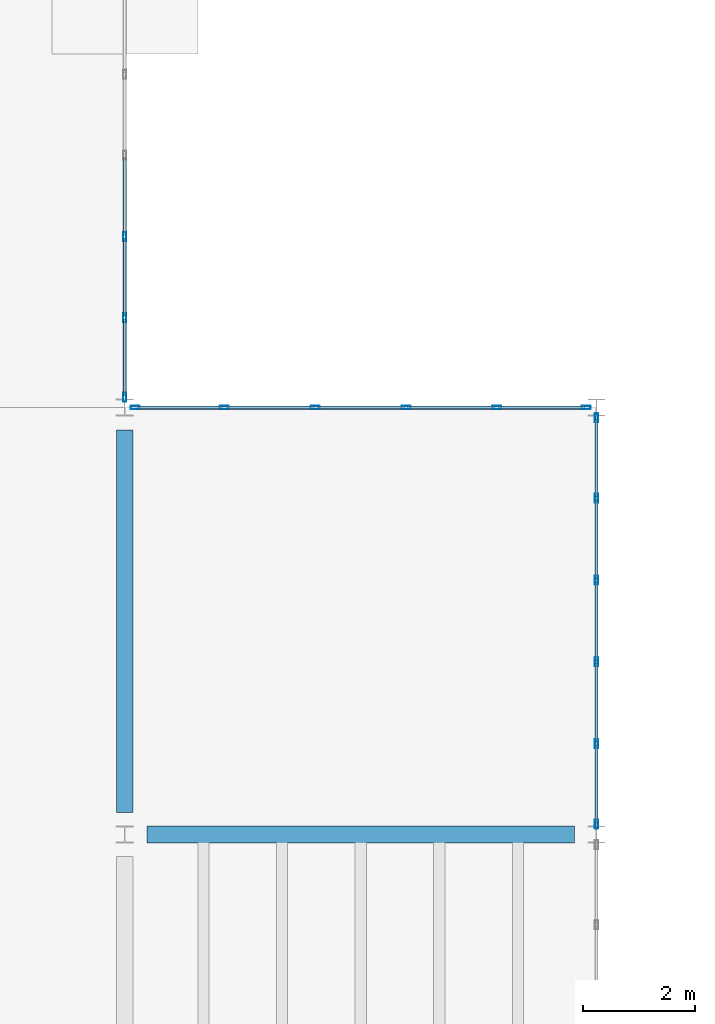
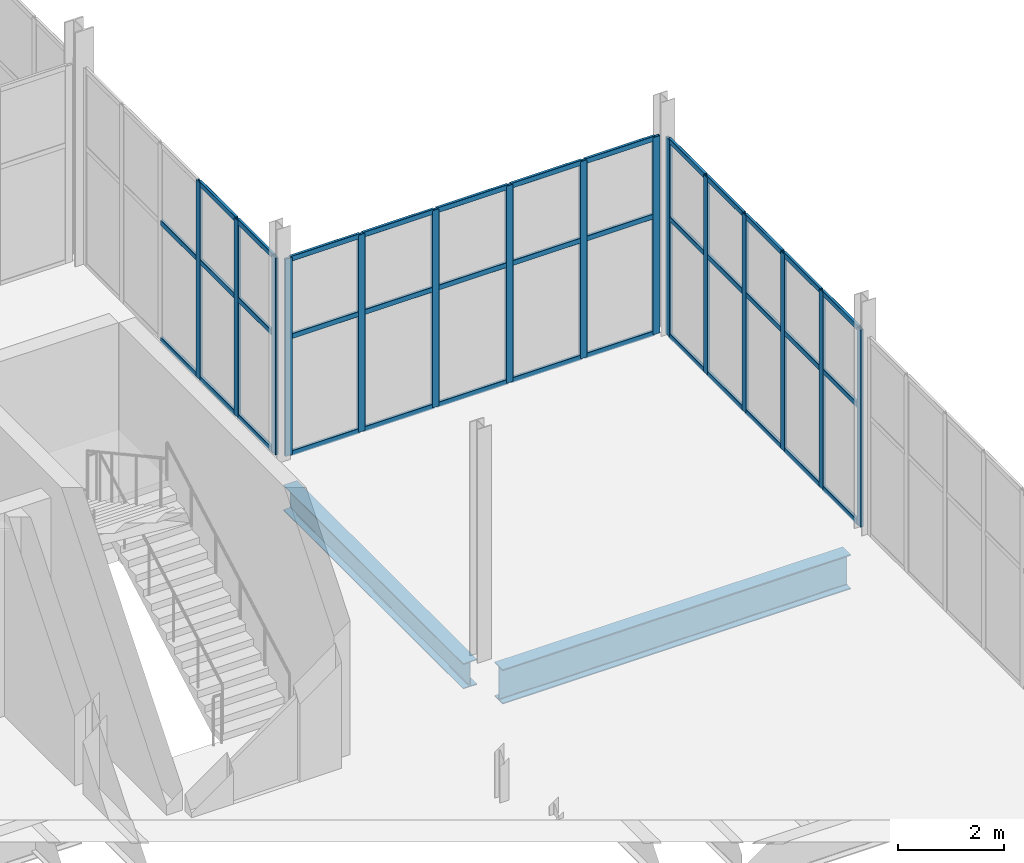
# One storey, part 29 of 95: 53 members, 2 beams, 3 elements without a shape of their own.
"""IFC4 building model written with IfcOpenShell, lengths in metres."""

from ifc_helpers import new_model, si_unit, direction, frame, origin, origin_2d, place, context, subcontext, project, spatial, hollow_rectangle, i_section, extrude, material, material_profile, profile_set, type_object, element, aggregate, save


model = new_model("IFC4")

# Units and contexts
model_context = context("Model", 3, precision=1e-05, world=origin(), true_north=direction((0.0, 1.0)))
body_context = subcontext(model_context, "Body", "Model", "MODEL_VIEW")
ifc_project = project(units=[si_unit("LENGTHUNIT", "METRE"), si_unit("AREAUNIT", "SQUARE_METRE"), si_unit("VOLUMEUNIT", "CUBIC_METRE"), si_unit("PLANEANGLEUNIT", "RADIAN"), si_unit("MASSUNIT", "GRAM", prefix="KILO")], contexts=[model_context])

# Site, building, storey
site_placement = place(None, origin())
site = spatial("IfcSite", under=ifc_project, at=site_placement, CompositionType="ELEMENT")
building_placement = place(site_placement, origin())
building = spatial("IfcBuilding", under=site, at=building_placement, Name="Shengluoqiao Park Theatre", CompositionType="ELEMENT")
storey_placement = place(building_placement, origin())
storey = spatial("IfcBuildingStorey", under=building, at=storey_placement, Name="L00", CompositionType="ELEMENT", Elevation=0.0)

# Curtain wall, members
ifc_material_1 = material(Name="Aluminium 6063-T6", Category="aluminium")
curtain_wall_type = type_object("IfcCurtainWallType", Name="ENV-CW-COURT", PredefinedType="NOTDEFINED", material=ifc_material_1)
curtain_wall_1_placement = place(storey_placement, origin())
curtain_wall_1 = element("IfcCurtainWall", 1, at=curtain_wall_1_placement, inside=storey, type_object=curtain_wall_type, Name="L00 Curtain Wall CWX-L00-0151", PredefinedType="NOTDEFINED")
ifc_material_profile_1 = material_profile(ifc_material_1, hollow_rectangle(XDim=0.06005859375, YDim=0.159912109375, WallThickness=0.00390625, InnerFilletRadius=0.00390625, OuterFilletRadius=0.008056640625, at=origin_2d()), Name="ALU MULLION 160x60x4")
ifc_profile_set_1 = profile_set([ifc_material_profile_1], Name="Aluminium 6063-T6")
member_type_1 = type_object("IfcMemberType", Name="ENV-MUL-160", PredefinedType="MULLION", material=ifc_profile_set_1)
member_1_placement = place(storey_placement, frame((44.39990234375, 15.384033203125, 0.0), z_axis=(0.0, 0.0, 1.0), x_axis=(-1.0, 0.0, 0.0)))
member_1 = element("IfcMember", 2, at=member_1_placement, type_object=member_type_1, Name="CW-05 mullion 1", PredefinedType="MULLION", context=body_context, shape_type="SweptSolid", body=[
    extrude(hollow_rectangle(XDim=0.06005859375, YDim=0.159912109375, WallThickness=0.00390625, InnerFilletRadius=0.00390625, OuterFilletRadius=0.008056640625, at=origin_2d()), origin(), (0.0, 0.0, 1.0), 4.555908203125),
])
member_2_placement = place(storey_placement, frame((44.39990234375, 16.8125, 0.0), z_axis=(0.0, 0.0, 1.0), x_axis=(-1.0, 0.0, 0.0)))
member_2 = element("IfcMember", 3, at=member_2_placement, type_object=member_type_1, Name="CW-05 mullion 2", PredefinedType="MULLION", context=body_context, shape_type="SweptSolid", body=[
    extrude(hollow_rectangle(XDim=0.06005859375, YDim=0.159912109375, WallThickness=0.00390625, InnerFilletRadius=0.00390625, OuterFilletRadius=0.008056640625, at=origin_2d()), origin(), (0.0, 0.0, 1.0), 4.555908203125),
])
member_3_placement = place(storey_placement, frame((44.39990234375, 18.270751953125, 0.0), z_axis=(0.0, 0.0, 1.0), x_axis=(-1.0, 0.0, 0.0)))
member_3 = element("IfcMember", 4, at=member_3_placement, type_object=member_type_1, Name="CW-05 mullion 3", PredefinedType="MULLION", context=body_context, shape_type="SweptSolid", body=[
    extrude(hollow_rectangle(XDim=0.06005859375, YDim=0.159912109375, WallThickness=0.00390625, InnerFilletRadius=0.00390625, OuterFilletRadius=0.008056640625, at=origin_2d()), origin(), (0.0, 0.0, 1.0), 4.555908203125),
])
member_4_placement = place(storey_placement, frame((44.39990234375, 19.729248046875, 0.0), z_axis=(0.0, 0.0, 1.0), x_axis=(-1.0, 0.0, 0.0)))
member_4 = element("IfcMember", 5, at=member_4_placement, type_object=member_type_1, Name="CW-05 mullion 4", PredefinedType="MULLION", context=body_context, shape_type="SweptSolid", body=[
    extrude(hollow_rectangle(XDim=0.06005859375, YDim=0.159912109375, WallThickness=0.00390625, InnerFilletRadius=0.00390625, OuterFilletRadius=0.008056640625, at=origin_2d()), origin(), (0.0, 0.0, 1.0), 4.555908203125),
])
member_5_placement = place(storey_placement, frame((44.39990234375, 21.1875, 0.0), z_axis=(0.0, 0.0, 1.0), x_axis=(-1.0, 0.0, 0.0)))
member_5 = element("IfcMember", 6, at=member_5_placement, type_object=member_type_1, Name="CW-05 mullion 5", PredefinedType="MULLION", context=body_context, shape_type="SweptSolid", body=[
    extrude(hollow_rectangle(XDim=0.06005859375, YDim=0.159912109375, WallThickness=0.00390625, InnerFilletRadius=0.00390625, OuterFilletRadius=0.008056640625, at=origin_2d()), origin(), (0.0, 0.0, 1.0), 4.555908203125),
])
member_6_placement = place(storey_placement, frame((44.39990234375, 22.615966796875, 0.0), z_axis=(0.0, 0.0, 1.0), x_axis=(-1.0, 0.0, 0.0)))
member_6 = element("IfcMember", 7, at=member_6_placement, type_object=member_type_1, Name="CW-05 mullion 6", PredefinedType="MULLION", context=body_context, shape_type="SweptSolid", body=[
    extrude(hollow_rectangle(XDim=0.06005859375, YDim=0.159912109375, WallThickness=0.00390625, InnerFilletRadius=0.00390625, OuterFilletRadius=0.008056640625, at=origin_2d()), origin(), (0.0, 0.0, 1.0), 4.555908203125),
])

curtain_wall_2_placement = place(storey_placement, origin())
curtain_wall_2 = element("IfcCurtainWall", 8, at=curtain_wall_2_placement, inside=storey, type_object=curtain_wall_type, Name="L00 Curtain Wall CWX-L00-0152", PredefinedType="NOTDEFINED")
member_7_placement = place(storey_placement, frame((36.1865234375, 22.800048828125, 0.0), z_axis=(0.0, 0.0, 1.0), x_axis=(0.0, 1.0, 0.0)))
member_7 = element("IfcMember", 9, at=member_7_placement, type_object=member_type_1, Name="CW-05 mullion 1", PredefinedType="MULLION", context=body_context, shape_type="SweptSolid", body=[
    extrude(hollow_rectangle(XDim=0.06005859375, YDim=0.159912109375, WallThickness=0.00390625, InnerFilletRadius=0.00390625, OuterFilletRadius=0.008056640625, at=origin_2d()), origin(), (0.0, 0.0, 1.0), 4.555908203125),
])
member_8_placement = place(storey_placement, frame((37.77392578125, 22.800048828125, 0.0), z_axis=(0.0, 0.0, 1.0), x_axis=(0.0, 1.0, 0.0)))
member_8 = element("IfcMember", 10, at=member_8_placement, type_object=member_type_1, Name="CW-05 mullion 2", PredefinedType="MULLION", context=body_context, shape_type="SweptSolid", body=[
    extrude(hollow_rectangle(XDim=0.06005859375, YDim=0.159912109375, WallThickness=0.00390625, InnerFilletRadius=0.00390625, OuterFilletRadius=0.008056640625, at=origin_2d()), origin(), (0.0, 0.0, 1.0), 4.555908203125),
])
member_9_placement = place(storey_placement, frame((39.391357421875, 22.800048828125, 0.0), z_axis=(0.0, 0.0, 1.0), x_axis=(0.0, 1.0, 0.0)))
member_9 = element("IfcMember", 11, at=member_9_placement, type_object=member_type_1, Name="CW-05 mullion 3", PredefinedType="MULLION", context=body_context, shape_type="SweptSolid", body=[
    extrude(hollow_rectangle(XDim=0.06005859375, YDim=0.159912109375, WallThickness=0.00390625, InnerFilletRadius=0.00390625, OuterFilletRadius=0.008056640625, at=origin_2d()), origin(), (0.0, 0.0, 1.0), 4.555908203125),
])
member_10_placement = place(storey_placement, frame((41.0087890625, 22.800048828125, 0.0), z_axis=(0.0, 0.0, 1.0), x_axis=(0.0, 1.0, 0.0)))
member_10 = element("IfcMember", 12, at=member_10_placement, type_object=member_type_1, Name="CW-05 mullion 4", PredefinedType="MULLION", context=body_context, shape_type="SweptSolid", body=[
    extrude(hollow_rectangle(XDim=0.06005859375, YDim=0.159912109375, WallThickness=0.00390625, InnerFilletRadius=0.00390625, OuterFilletRadius=0.008056640625, at=origin_2d()), origin(), (0.0, 0.0, 1.0), 4.555908203125),
])
member_11_placement = place(storey_placement, frame((42.626220703125, 22.800048828125, 0.0), z_axis=(0.0, 0.0, 1.0), x_axis=(0.0, 1.0, 0.0)))
member_11 = element("IfcMember", 13, at=member_11_placement, type_object=member_type_1, Name="CW-05 mullion 5", PredefinedType="MULLION", context=body_context, shape_type="SweptSolid", body=[
    extrude(hollow_rectangle(XDim=0.06005859375, YDim=0.159912109375, WallThickness=0.00390625, InnerFilletRadius=0.00390625, OuterFilletRadius=0.008056640625, at=origin_2d()), origin(), (0.0, 0.0, 1.0), 4.555908203125),
])
member_12_placement = place(storey_placement, frame((44.21337890625, 22.800048828125, 0.0), z_axis=(0.0, 0.0, 1.0), x_axis=(0.0, 1.0, 0.0)))
member_12 = element("IfcMember", 14, at=member_12_placement, type_object=member_type_1, Name="CW-05 mullion 6", PredefinedType="MULLION", context=body_context, shape_type="SweptSolid", body=[
    extrude(hollow_rectangle(XDim=0.06005859375, YDim=0.159912109375, WallThickness=0.00390625, InnerFilletRadius=0.00390625, OuterFilletRadius=0.008056640625, at=origin_2d()), origin(), (0.0, 0.0, 1.0), 4.555908203125),
])

curtain_wall_3_placement = place(storey_placement, origin())
curtain_wall_3 = element("IfcCurtainWall", 15, at=curtain_wall_3_placement, inside=storey, type_object=curtain_wall_type, Name="L00 Curtain Wall CWX-L00-0154", PredefinedType="NOTDEFINED")
member_13_placement = place(storey_placement, frame((36.0, 22.98388671875, 0.0), z_axis=(0.0, 0.0, 1.0), x_axis=(-1.0, 0.0, 0.0)))
member_13 = element("IfcMember", 16, at=member_13_placement, type_object=member_type_1, Name="CW-05 mullion 1", PredefinedType="MULLION", context=body_context, shape_type="SweptSolid", body=[
    extrude(hollow_rectangle(XDim=0.06005859375, YDim=0.159912109375, WallThickness=0.00390625, InnerFilletRadius=0.00390625, OuterFilletRadius=0.008056640625, at=origin_2d()), origin(), (0.0, 0.0, 1.0), 4.550048828125),
])
member_14_placement = place(storey_placement, frame((36.0, 24.399658203125, 0.0), z_axis=(0.0, 0.0, 1.0), x_axis=(-1.0, 0.0, 0.0)))
member_14 = element("IfcMember", 17, at=member_14_placement, type_object=member_type_1, Name="CW-05 mullion 2", PredefinedType="MULLION", context=body_context, shape_type="SweptSolid", body=[
    extrude(hollow_rectangle(XDim=0.06005859375, YDim=0.159912109375, WallThickness=0.00390625, InnerFilletRadius=0.00390625, OuterFilletRadius=0.008056640625, at=origin_2d()), origin(), (0.0, 0.0, 1.0), 4.550048828125),
])
member_15_placement = place(storey_placement, frame((36.0, 25.84521484375, 0.0), z_axis=(0.0, 0.0, 1.0), x_axis=(-1.0, 0.0, 0.0)))
member_15 = element("IfcMember", 18, at=member_15_placement, type_object=member_type_1, Name="CW-05 mullion 3", PredefinedType="MULLION", context=body_context, shape_type="SweptSolid", body=[
    extrude(hollow_rectangle(XDim=0.06005859375, YDim=0.159912109375, WallThickness=0.00390625, InnerFilletRadius=0.00390625, OuterFilletRadius=0.008056640625, at=origin_2d()), origin(), (0.0, 0.0, 1.0), 4.550048828125),
])

# Member
ifc_material_profile_2 = material_profile(ifc_material_1, hollow_rectangle(XDim=0.06005859375, YDim=0.1201171875, WallThickness=0.00390625, InnerFilletRadius=0.00390625, OuterFilletRadius=0.008056640625, at=origin_2d()), Name="ALU TRANSOM 120x60x4")
ifc_profile_set_2 = profile_set([ifc_material_profile_2], Name="Aluminium 6063-T6")
member_type_2 = type_object("IfcMemberType", Name="ENV-TRN-120", PredefinedType="USERDEFINED", material=ifc_profile_set_2)
member_16_placement = place(storey_placement, frame((44.39990234375, 15.4140625, 0.030029296875), z_axis=(0.0, 1.0, 0.0), x_axis=(-1.0, 0.0, 0.0)))
member_16 = element("IfcMember", 19, at=member_16_placement, type_object=member_type_2, Name="CW-05 transom 1.1", ObjectType="TRANSOM", PredefinedType="USERDEFINED", context=body_context, shape_type="SweptSolid", body=[
    extrude(hollow_rectangle(XDim=0.06005859375, YDim=0.1201171875, WallThickness=0.00390625, InnerFilletRadius=0.00390625, OuterFilletRadius=0.008056640625, at=origin_2d()), origin(), (0.0, 0.0, 1.0), 1.368408203125),
])

member_17_placement = place(storey_placement, frame((44.39990234375, 15.4140625, 2.73388671875), z_axis=(0.0, 1.0, 0.0), x_axis=(-1.0, 0.0, 0.0)))
member_17 = element("IfcMember", 20, at=member_17_placement, type_object=member_type_2, Name="CW-05 transom 1.2", ObjectType="TRANSOM", PredefinedType="USERDEFINED", context=body_context, shape_type="SweptSolid", body=[
    extrude(hollow_rectangle(XDim=0.06005859375, YDim=0.1201171875, WallThickness=0.00390625, InnerFilletRadius=0.00390625, OuterFilletRadius=0.008056640625, at=origin_2d()), origin(), (0.0, 0.0, 1.0), 1.368408203125),
])

member_18_placement = place(storey_placement, frame((44.39990234375, 15.4140625, 4.52587890625), z_axis=(0.0, 1.0, 0.0), x_axis=(-1.0, 0.0, 0.0)))
member_18 = element("IfcMember", 21, at=member_18_placement, type_object=member_type_2, Name="CW-05 transom 1.3", ObjectType="TRANSOM", PredefinedType="USERDEFINED", context=body_context, shape_type="SweptSolid", body=[
    extrude(hollow_rectangle(XDim=0.06005859375, YDim=0.1201171875, WallThickness=0.00390625, InnerFilletRadius=0.00390625, OuterFilletRadius=0.008056640625, at=origin_2d()), origin(), (0.0, 0.0, 1.0), 1.368408203125),
])

member_19_placement = place(storey_placement, frame((44.39990234375, 16.84228515625, 0.030029296875), z_axis=(0.0, 1.0, 0.0), x_axis=(-1.0, 0.0, 0.0)))
member_19 = element("IfcMember", 22, at=member_19_placement, type_object=member_type_2, Name="CW-05 transom 2.1", ObjectType="TRANSOM", PredefinedType="USERDEFINED", context=body_context, shape_type="SweptSolid", body=[
    extrude(hollow_rectangle(XDim=0.06005859375, YDim=0.1201171875, WallThickness=0.00390625, InnerFilletRadius=0.00390625, OuterFilletRadius=0.008056640625, at=origin_2d()), origin(), (0.0, 0.0, 1.0), 1.3984375),
])

member_20_placement = place(storey_placement, frame((44.39990234375, 16.84228515625, 2.73388671875), z_axis=(0.0, 1.0, 0.0), x_axis=(-1.0, 0.0, 0.0)))
member_20 = element("IfcMember", 23, at=member_20_placement, type_object=member_type_2, Name="CW-05 transom 2.2", ObjectType="TRANSOM", PredefinedType="USERDEFINED", context=body_context, shape_type="SweptSolid", body=[
    extrude(hollow_rectangle(XDim=0.06005859375, YDim=0.1201171875, WallThickness=0.00390625, InnerFilletRadius=0.00390625, OuterFilletRadius=0.008056640625, at=origin_2d()), origin(), (0.0, 0.0, 1.0), 1.3984375),
])

member_21_placement = place(storey_placement, frame((44.39990234375, 16.84228515625, 4.52587890625), z_axis=(0.0, 1.0, 0.0), x_axis=(-1.0, 0.0, 0.0)))
member_21 = element("IfcMember", 24, at=member_21_placement, type_object=member_type_2, Name="CW-05 transom 2.3", ObjectType="TRANSOM", PredefinedType="USERDEFINED", context=body_context, shape_type="SweptSolid", body=[
    extrude(hollow_rectangle(XDim=0.06005859375, YDim=0.1201171875, WallThickness=0.00390625, InnerFilletRadius=0.00390625, OuterFilletRadius=0.008056640625, at=origin_2d()), origin(), (0.0, 0.0, 1.0), 1.3984375),
])

member_22_placement = place(storey_placement, frame((44.39990234375, 18.30078125, 0.030029296875), z_axis=(0.0, 1.0, 0.0), x_axis=(-1.0, 0.0, 0.0)))
member_22 = element("IfcMember", 25, at=member_22_placement, type_object=member_type_2, Name="CW-05 transom 3.1", ObjectType="TRANSOM", PredefinedType="USERDEFINED", context=body_context, shape_type="SweptSolid", body=[
    extrude(hollow_rectangle(XDim=0.06005859375, YDim=0.1201171875, WallThickness=0.00390625, InnerFilletRadius=0.00390625, OuterFilletRadius=0.008056640625, at=origin_2d()), origin(), (0.0, 0.0, 1.0), 1.3984375),
])

member_23_placement = place(storey_placement, frame((44.39990234375, 18.30078125, 2.73388671875), z_axis=(0.0, 1.0, 0.0), x_axis=(-1.0, 0.0, 0.0)))
member_23 = element("IfcMember", 26, at=member_23_placement, type_object=member_type_2, Name="CW-05 transom 3.2", ObjectType="TRANSOM", PredefinedType="USERDEFINED", context=body_context, shape_type="SweptSolid", body=[
    extrude(hollow_rectangle(XDim=0.06005859375, YDim=0.1201171875, WallThickness=0.00390625, InnerFilletRadius=0.00390625, OuterFilletRadius=0.008056640625, at=origin_2d()), origin(), (0.0, 0.0, 1.0), 1.3984375),
])

member_24_placement = place(storey_placement, frame((44.39990234375, 18.30078125, 4.52587890625), z_axis=(0.0, 1.0, 0.0), x_axis=(-1.0, 0.0, 0.0)))
member_24 = element("IfcMember", 27, at=member_24_placement, type_object=member_type_2, Name="CW-05 transom 3.3", ObjectType="TRANSOM", PredefinedType="USERDEFINED", context=body_context, shape_type="SweptSolid", body=[
    extrude(hollow_rectangle(XDim=0.06005859375, YDim=0.1201171875, WallThickness=0.00390625, InnerFilletRadius=0.00390625, OuterFilletRadius=0.008056640625, at=origin_2d()), origin(), (0.0, 0.0, 1.0), 1.3984375),
])

member_25_placement = place(storey_placement, frame((44.39990234375, 19.75927734375, 0.030029296875), z_axis=(0.0, 1.0, 0.0), x_axis=(-1.0, 0.0, 0.0)))
member_25 = element("IfcMember", 28, at=member_25_placement, type_object=member_type_2, Name="CW-05 transom 4.1", ObjectType="TRANSOM", PredefinedType="USERDEFINED", context=body_context, shape_type="SweptSolid", body=[
    extrude(hollow_rectangle(XDim=0.06005859375, YDim=0.1201171875, WallThickness=0.00390625, InnerFilletRadius=0.00390625, OuterFilletRadius=0.008056640625, at=origin_2d()), origin(), (0.0, 0.0, 1.0), 1.3984375),
])

member_26_placement = place(storey_placement, frame((44.39990234375, 19.75927734375, 2.73388671875), z_axis=(0.0, 1.0, 0.0), x_axis=(-1.0, 0.0, 0.0)))
member_26 = element("IfcMember", 29, at=member_26_placement, type_object=member_type_2, Name="CW-05 transom 4.2", ObjectType="TRANSOM", PredefinedType="USERDEFINED", context=body_context, shape_type="SweptSolid", body=[
    extrude(hollow_rectangle(XDim=0.06005859375, YDim=0.1201171875, WallThickness=0.00390625, InnerFilletRadius=0.00390625, OuterFilletRadius=0.008056640625, at=origin_2d()), origin(), (0.0, 0.0, 1.0), 1.3984375),
])

member_27_placement = place(storey_placement, frame((44.39990234375, 19.75927734375, 4.52587890625), z_axis=(0.0, 1.0, 0.0), x_axis=(-1.0, 0.0, 0.0)))
member_27 = element("IfcMember", 30, at=member_27_placement, type_object=member_type_2, Name="CW-05 transom 4.3", ObjectType="TRANSOM", PredefinedType="USERDEFINED", context=body_context, shape_type="SweptSolid", body=[
    extrude(hollow_rectangle(XDim=0.06005859375, YDim=0.1201171875, WallThickness=0.00390625, InnerFilletRadius=0.00390625, OuterFilletRadius=0.008056640625, at=origin_2d()), origin(), (0.0, 0.0, 1.0), 1.3984375),
])

member_28_placement = place(storey_placement, frame((44.39990234375, 21.217529296875, 0.030029296875), z_axis=(0.0, 1.0, 0.0), x_axis=(-1.0, 0.0, 0.0)))
member_28 = element("IfcMember", 31, at=member_28_placement, type_object=member_type_2, Name="CW-05 transom 5.1", ObjectType="TRANSOM", PredefinedType="USERDEFINED", context=body_context, shape_type="SweptSolid", body=[
    extrude(hollow_rectangle(XDim=0.06005859375, YDim=0.1201171875, WallThickness=0.00390625, InnerFilletRadius=0.00390625, OuterFilletRadius=0.008056640625, at=origin_2d()), origin(), (0.0, 0.0, 1.0), 1.368408203125),
])

member_29_placement = place(storey_placement, frame((44.39990234375, 21.217529296875, 2.73388671875), z_axis=(0.0, 1.0, 0.0), x_axis=(-1.0, 0.0, 0.0)))
member_29 = element("IfcMember", 32, at=member_29_placement, type_object=member_type_2, Name="CW-05 transom 5.2", ObjectType="TRANSOM", PredefinedType="USERDEFINED", context=body_context, shape_type="SweptSolid", body=[
    extrude(hollow_rectangle(XDim=0.06005859375, YDim=0.1201171875, WallThickness=0.00390625, InnerFilletRadius=0.00390625, OuterFilletRadius=0.008056640625, at=origin_2d()), origin(), (0.0, 0.0, 1.0), 1.368408203125),
])

member_30_placement = place(storey_placement, frame((44.39990234375, 21.217529296875, 4.52587890625), z_axis=(0.0, 1.0, 0.0), x_axis=(-1.0, 0.0, 0.0)))
member_30 = element("IfcMember", 33, at=member_30_placement, type_object=member_type_2, Name="CW-05 transom 5.3", ObjectType="TRANSOM", PredefinedType="USERDEFINED", context=body_context, shape_type="SweptSolid", body=[
    extrude(hollow_rectangle(XDim=0.06005859375, YDim=0.1201171875, WallThickness=0.00390625, InnerFilletRadius=0.00390625, OuterFilletRadius=0.008056640625, at=origin_2d()), origin(), (0.0, 0.0, 1.0), 1.368408203125),
])

aggregate(curtain_wall_1, [member_1, member_2, member_3, member_4, member_5, member_6, member_16, member_17, member_18, member_19, member_20, member_21, member_22, member_23, member_24, member_25, member_26, member_27, member_28, member_29, member_30])

member_31_placement = place(storey_placement, frame((36.216552734375, 22.800048828125, 0.030029296875), z_axis=(1.0, 0.0, 0.0), x_axis=(0.0, 1.0, 0.0)))
member_31 = element("IfcMember", 34, at=member_31_placement, type_object=member_type_2, Name="CW-05 transom 1.1", ObjectType="TRANSOM", PredefinedType="USERDEFINED", context=body_context, shape_type="SweptSolid", body=[
    extrude(hollow_rectangle(XDim=0.06005859375, YDim=0.1201171875, WallThickness=0.00390625, InnerFilletRadius=0.00390625, OuterFilletRadius=0.008056640625, at=origin_2d()), origin(), (0.0, 0.0, 1.0), 1.52734375),
])

member_32_placement = place(storey_placement, frame((36.216552734375, 22.800048828125, 2.73388671875), z_axis=(1.0, 0.0, 0.0), x_axis=(0.0, 1.0, 0.0)))
member_32 = element("IfcMember", 35, at=member_32_placement, type_object=member_type_2, Name="CW-05 transom 1.2", ObjectType="TRANSOM", PredefinedType="USERDEFINED", context=body_context, shape_type="SweptSolid", body=[
    extrude(hollow_rectangle(XDim=0.06005859375, YDim=0.1201171875, WallThickness=0.00390625, InnerFilletRadius=0.00390625, OuterFilletRadius=0.008056640625, at=origin_2d()), origin(), (0.0, 0.0, 1.0), 1.52734375),
])

member_33_placement = place(storey_placement, frame((36.216552734375, 22.800048828125, 4.52587890625), z_axis=(1.0, 0.0, 0.0), x_axis=(0.0, 1.0, 0.0)))
member_33 = element("IfcMember", 36, at=member_33_placement, type_object=member_type_2, Name="CW-05 transom 1.3", ObjectType="TRANSOM", PredefinedType="USERDEFINED", context=body_context, shape_type="SweptSolid", body=[
    extrude(hollow_rectangle(XDim=0.06005859375, YDim=0.1201171875, WallThickness=0.00390625, InnerFilletRadius=0.00390625, OuterFilletRadius=0.008056640625, at=origin_2d()), origin(), (0.0, 0.0, 1.0), 1.52734375),
])

member_34_placement = place(storey_placement, frame((37.803955078125, 22.800048828125, 0.030029296875), z_axis=(1.0, 0.0, 0.0), x_axis=(0.0, 1.0, 0.0)))
member_34 = element("IfcMember", 37, at=member_34_placement, type_object=member_type_2, Name="CW-05 transom 2.1", ObjectType="TRANSOM", PredefinedType="USERDEFINED", context=body_context, shape_type="SweptSolid", body=[
    extrude(hollow_rectangle(XDim=0.06005859375, YDim=0.1201171875, WallThickness=0.00390625, InnerFilletRadius=0.00390625, OuterFilletRadius=0.008056640625, at=origin_2d()), origin(), (0.0, 0.0, 1.0), 1.557373046875),
])

member_35_placement = place(storey_placement, frame((37.803955078125, 22.800048828125, 2.73388671875), z_axis=(1.0, 0.0, 0.0), x_axis=(0.0, 1.0, 0.0)))
member_35 = element("IfcMember", 38, at=member_35_placement, type_object=member_type_2, Name="CW-05 transom 2.2", ObjectType="TRANSOM", PredefinedType="USERDEFINED", context=body_context, shape_type="SweptSolid", body=[
    extrude(hollow_rectangle(XDim=0.06005859375, YDim=0.1201171875, WallThickness=0.00390625, InnerFilletRadius=0.00390625, OuterFilletRadius=0.008056640625, at=origin_2d()), origin(), (0.0, 0.0, 1.0), 1.557373046875),
])

member_36_placement = place(storey_placement, frame((37.803955078125, 22.800048828125, 4.52587890625), z_axis=(1.0, 0.0, 0.0), x_axis=(0.0, 1.0, 0.0)))
member_36 = element("IfcMember", 39, at=member_36_placement, type_object=member_type_2, Name="CW-05 transom 2.3", ObjectType="TRANSOM", PredefinedType="USERDEFINED", context=body_context, shape_type="SweptSolid", body=[
    extrude(hollow_rectangle(XDim=0.06005859375, YDim=0.1201171875, WallThickness=0.00390625, InnerFilletRadius=0.00390625, OuterFilletRadius=0.008056640625, at=origin_2d()), origin(), (0.0, 0.0, 1.0), 1.557373046875),
])

member_37_placement = place(storey_placement, frame((39.42138671875, 22.800048828125, 0.030029296875), z_axis=(1.0, 0.0, 0.0), x_axis=(0.0, 1.0, 0.0)))
member_37 = element("IfcMember", 40, at=member_37_placement, type_object=member_type_2, Name="CW-05 transom 3.1", ObjectType="TRANSOM", PredefinedType="USERDEFINED", context=body_context, shape_type="SweptSolid", body=[
    extrude(hollow_rectangle(XDim=0.06005859375, YDim=0.1201171875, WallThickness=0.00390625, InnerFilletRadius=0.00390625, OuterFilletRadius=0.008056640625, at=origin_2d()), origin(), (0.0, 0.0, 1.0), 1.557373046875),
])

member_38_placement = place(storey_placement, frame((39.42138671875, 22.800048828125, 2.73388671875), z_axis=(1.0, 0.0, 0.0), x_axis=(0.0, 1.0, 0.0)))
member_38 = element("IfcMember", 41, at=member_38_placement, type_object=member_type_2, Name="CW-05 transom 3.2", ObjectType="TRANSOM", PredefinedType="USERDEFINED", context=body_context, shape_type="SweptSolid", body=[
    extrude(hollow_rectangle(XDim=0.06005859375, YDim=0.1201171875, WallThickness=0.00390625, InnerFilletRadius=0.00390625, OuterFilletRadius=0.008056640625, at=origin_2d()), origin(), (0.0, 0.0, 1.0), 1.557373046875),
])

member_39_placement = place(storey_placement, frame((39.42138671875, 22.800048828125, 4.52587890625), z_axis=(1.0, 0.0, 0.0), x_axis=(0.0, 1.0, 0.0)))
member_39 = element("IfcMember", 42, at=member_39_placement, type_object=member_type_2, Name="CW-05 transom 3.3", ObjectType="TRANSOM", PredefinedType="USERDEFINED", context=body_context, shape_type="SweptSolid", body=[
    extrude(hollow_rectangle(XDim=0.06005859375, YDim=0.1201171875, WallThickness=0.00390625, InnerFilletRadius=0.00390625, OuterFilletRadius=0.008056640625, at=origin_2d()), origin(), (0.0, 0.0, 1.0), 1.557373046875),
])

member_40_placement = place(storey_placement, frame((41.038818359375, 22.800048828125, 0.030029296875), z_axis=(1.0, 0.0, 0.0), x_axis=(0.0, 1.0, 0.0)))
member_40 = element("IfcMember", 43, at=member_40_placement, type_object=member_type_2, Name="CW-05 transom 4.1", ObjectType="TRANSOM", PredefinedType="USERDEFINED", context=body_context, shape_type="SweptSolid", body=[
    extrude(hollow_rectangle(XDim=0.06005859375, YDim=0.1201171875, WallThickness=0.00390625, InnerFilletRadius=0.00390625, OuterFilletRadius=0.008056640625, at=origin_2d()), origin(), (0.0, 0.0, 1.0), 1.557373046875),
])

member_41_placement = place(storey_placement, frame((41.038818359375, 22.800048828125, 2.73388671875), z_axis=(1.0, 0.0, 0.0), x_axis=(0.0, 1.0, 0.0)))
member_41 = element("IfcMember", 44, at=member_41_placement, type_object=member_type_2, Name="CW-05 transom 4.2", ObjectType="TRANSOM", PredefinedType="USERDEFINED", context=body_context, shape_type="SweptSolid", body=[
    extrude(hollow_rectangle(XDim=0.06005859375, YDim=0.1201171875, WallThickness=0.00390625, InnerFilletRadius=0.00390625, OuterFilletRadius=0.008056640625, at=origin_2d()), origin(), (0.0, 0.0, 1.0), 1.557373046875),
])

member_42_placement = place(storey_placement, frame((41.038818359375, 22.800048828125, 4.52587890625), z_axis=(1.0, 0.0, 0.0), x_axis=(0.0, 1.0, 0.0)))
member_42 = element("IfcMember", 45, at=member_42_placement, type_object=member_type_2, Name="CW-05 transom 4.3", ObjectType="TRANSOM", PredefinedType="USERDEFINED", context=body_context, shape_type="SweptSolid", body=[
    extrude(hollow_rectangle(XDim=0.06005859375, YDim=0.1201171875, WallThickness=0.00390625, InnerFilletRadius=0.00390625, OuterFilletRadius=0.008056640625, at=origin_2d()), origin(), (0.0, 0.0, 1.0), 1.557373046875),
])

member_43_placement = place(storey_placement, frame((42.656005859375, 22.800048828125, 0.030029296875), z_axis=(1.0, 0.0, 0.0), x_axis=(0.0, 1.0, 0.0)))
member_43 = element("IfcMember", 46, at=member_43_placement, type_object=member_type_2, Name="CW-05 transom 5.1", ObjectType="TRANSOM", PredefinedType="USERDEFINED", context=body_context, shape_type="SweptSolid", body=[
    extrude(hollow_rectangle(XDim=0.06005859375, YDim=0.1201171875, WallThickness=0.00390625, InnerFilletRadius=0.00390625, OuterFilletRadius=0.008056640625, at=origin_2d()), origin(), (0.0, 0.0, 1.0), 1.527587890625),
])

member_44_placement = place(storey_placement, frame((42.656005859375, 22.800048828125, 2.73388671875), z_axis=(1.0, 0.0, 0.0), x_axis=(0.0, 1.0, 0.0)))
member_44 = element("IfcMember", 47, at=member_44_placement, type_object=member_type_2, Name="CW-05 transom 5.2", ObjectType="TRANSOM", PredefinedType="USERDEFINED", context=body_context, shape_type="SweptSolid", body=[
    extrude(hollow_rectangle(XDim=0.06005859375, YDim=0.1201171875, WallThickness=0.00390625, InnerFilletRadius=0.00390625, OuterFilletRadius=0.008056640625, at=origin_2d()), origin(), (0.0, 0.0, 1.0), 1.527587890625),
])

member_45_placement = place(storey_placement, frame((42.656005859375, 22.800048828125, 4.52587890625), z_axis=(1.0, 0.0, 0.0), x_axis=(0.0, 1.0, 0.0)))
member_45 = element("IfcMember", 48, at=member_45_placement, type_object=member_type_2, Name="CW-05 transom 5.3", ObjectType="TRANSOM", PredefinedType="USERDEFINED", context=body_context, shape_type="SweptSolid", body=[
    extrude(hollow_rectangle(XDim=0.06005859375, YDim=0.1201171875, WallThickness=0.00390625, InnerFilletRadius=0.00390625, OuterFilletRadius=0.008056640625, at=origin_2d()), origin(), (0.0, 0.0, 1.0), 1.527587890625),
])

aggregate(curtain_wall_2, [member_7, member_8, member_9, member_10, member_11, member_12, member_31, member_32, member_33, member_34, member_35, member_36, member_37, member_38, member_39, member_40, member_41, member_42, member_43, member_44, member_45])

member_46_placement = place(storey_placement, frame((36.0, 23.013916015625, 0.030029296875), z_axis=(0.0, 1.0, 0.0), x_axis=(-1.0, 0.0, 0.0)))
member_46 = element("IfcMember", 49, at=member_46_placement, type_object=member_type_2, Name="CW-05 transom 1.1", ObjectType="TRANSOM", PredefinedType="USERDEFINED", context=body_context, shape_type="SweptSolid", body=[
    extrude(hollow_rectangle(XDim=0.06005859375, YDim=0.1201171875, WallThickness=0.00390625, InnerFilletRadius=0.00390625, OuterFilletRadius=0.008056640625, at=origin_2d()), origin(), (0.0, 0.0, 1.0), 1.355712890625),
])

member_47_placement = place(storey_placement, frame((36.0, 23.013916015625, 2.72998046875), z_axis=(0.0, 1.0, 0.0), x_axis=(-1.0, 0.0, 0.0)))
member_47 = element("IfcMember", 50, at=member_47_placement, type_object=member_type_2, Name="CW-05 transom 1.2", ObjectType="TRANSOM", PredefinedType="USERDEFINED", context=body_context, shape_type="SweptSolid", body=[
    extrude(hollow_rectangle(XDim=0.06005859375, YDim=0.1201171875, WallThickness=0.00390625, InnerFilletRadius=0.00390625, OuterFilletRadius=0.008056640625, at=origin_2d()), origin(), (0.0, 0.0, 1.0), 1.355712890625),
])

member_48_placement = place(storey_placement, frame((36.0, 23.013916015625, 4.52001953125), z_axis=(0.0, 1.0, 0.0), x_axis=(-1.0, 0.0, 0.0)))
member_48 = element("IfcMember", 51, at=member_48_placement, type_object=member_type_2, Name="CW-05 transom 1.3", ObjectType="TRANSOM", PredefinedType="USERDEFINED", context=body_context, shape_type="SweptSolid", body=[
    extrude(hollow_rectangle(XDim=0.06005859375, YDim=0.1201171875, WallThickness=0.00390625, InnerFilletRadius=0.00390625, OuterFilletRadius=0.008056640625, at=origin_2d()), origin(), (0.0, 0.0, 1.0), 1.355712890625),
])

member_49_placement = place(storey_placement, frame((36.0, 24.4296875, 0.030029296875), z_axis=(0.0, 1.0, 0.0), x_axis=(-1.0, 0.0, 0.0)))
member_49 = element("IfcMember", 52, at=member_49_placement, type_object=member_type_2, Name="CW-05 transom 2.1", ObjectType="TRANSOM", PredefinedType="USERDEFINED", context=body_context, shape_type="SweptSolid", body=[
    extrude(hollow_rectangle(XDim=0.06005859375, YDim=0.1201171875, WallThickness=0.00390625, InnerFilletRadius=0.00390625, OuterFilletRadius=0.008056640625, at=origin_2d()), origin(), (0.0, 0.0, 1.0), 1.385498046875),
])

member_50_placement = place(storey_placement, frame((36.0, 24.4296875, 2.72998046875), z_axis=(0.0, 1.0, 0.0), x_axis=(-1.0, 0.0, 0.0)))
member_50 = element("IfcMember", 53, at=member_50_placement, type_object=member_type_2, Name="CW-05 transom 2.2", ObjectType="TRANSOM", PredefinedType="USERDEFINED", context=body_context, shape_type="SweptSolid", body=[
    extrude(hollow_rectangle(XDim=0.06005859375, YDim=0.1201171875, WallThickness=0.00390625, InnerFilletRadius=0.00390625, OuterFilletRadius=0.008056640625, at=origin_2d()), origin(), (0.0, 0.0, 1.0), 1.385498046875),
])

member_51_placement = place(storey_placement, frame((36.0, 24.4296875, 4.52001953125), z_axis=(0.0, 1.0, 0.0), x_axis=(-1.0, 0.0, 0.0)))
member_51 = element("IfcMember", 54, at=member_51_placement, type_object=member_type_2, Name="CW-05 transom 2.3", ObjectType="TRANSOM", PredefinedType="USERDEFINED", context=body_context, shape_type="SweptSolid", body=[
    extrude(hollow_rectangle(XDim=0.06005859375, YDim=0.1201171875, WallThickness=0.00390625, InnerFilletRadius=0.00390625, OuterFilletRadius=0.008056640625, at=origin_2d()), origin(), (0.0, 0.0, 1.0), 1.385498046875),
])

member_52_placement = place(storey_placement, frame((36.0, 25.875244140625, 0.030029296875), z_axis=(0.0, 1.0, 0.0), x_axis=(-1.0, 0.0, 0.0)))
member_52 = element("IfcMember", 55, at=member_52_placement, type_object=member_type_2, Name="CW-05 transom 3.1", ObjectType="TRANSOM", PredefinedType="USERDEFINED", context=body_context, shape_type="SweptSolid", body=[
    extrude(hollow_rectangle(XDim=0.06005859375, YDim=0.1201171875, WallThickness=0.00390625, InnerFilletRadius=0.00390625, OuterFilletRadius=0.008056640625, at=origin_2d()), origin(), (0.0, 0.0, 1.0), 1.385498046875),
])

member_53_placement = place(storey_placement, frame((36.0, 25.875244140625, 2.72998046875), z_axis=(0.0, 1.0, 0.0), x_axis=(-1.0, 0.0, 0.0)))
member_53 = element("IfcMember", 56, at=member_53_placement, type_object=member_type_2, Name="CW-05 transom 3.2", ObjectType="TRANSOM", PredefinedType="USERDEFINED", context=body_context, shape_type="SweptSolid", body=[
    extrude(hollow_rectangle(XDim=0.06005859375, YDim=0.1201171875, WallThickness=0.00390625, InnerFilletRadius=0.00390625, OuterFilletRadius=0.008056640625, at=origin_2d()), origin(), (0.0, 0.0, 1.0), 1.385498046875),
])

aggregate(curtain_wall_3, [member_13, member_14, member_15, member_46, member_47, member_48, member_49, member_50, member_51, member_52, member_53])

# Beams
ifc_material_2 = material(Name="Steel Q355", Category="steel")
ifc_material_profile_3 = material_profile(ifc_material_2, i_section(OverallWidth=0.300048828125, OverallDepth=0.587890625, WebThickness=0.011962890625, FlangeThickness=0.02001953125, FilletRadius=0.02392578125, at=origin_2d()), Name="HM 588x300x12x20")
ifc_profile_set_3 = profile_set([ifc_material_profile_3], Name="Steel Q355")
beam_type_1 = type_object("IfcBeamType", Name="STR-BM-G-HM588", PredefinedType="BEAM", material=ifc_profile_set_3)
beam_1_placement = place(storey_placement, frame((36.0, 15.593994140625, -0.634033203125), z_axis=(0.0, 1.0, 0.0), x_axis=(-1.0, 0.0, 0.0)))
element("IfcBeam", 57, at=beam_1_placement, inside=storey, type_object=beam_type_1, Name="L00 Transverse Girder 00214", PredefinedType="BEAM", context=body_context, shape_type="SweptSolid", body=[
    extrude(i_section(OverallWidth=0.300048828125, OverallDepth=0.587890625, WebThickness=0.011962890625, FlangeThickness=0.02001953125, FilletRadius=0.02392578125, at=origin_2d()), origin(), (0.0, 0.0, 1.0), 6.81201171875),
])
ifc_material_3 = material(Name="Steel Q390", Category="steel")
ifc_material_profile_4 = material_profile(ifc_material_3, i_section(OverallWidth=0.300048828125, OverallDepth=0.800048828125, WebThickness=0.013916015625, FlangeThickness=0.02587890625, FilletRadius=0.02587890625, at=origin_2d()), Name="HN 800x300x14x26")
ifc_profile_set_4 = profile_set([ifc_material_profile_4], Name="Steel Q390")
beam_type_2 = type_object("IfcBeamType", Name="STR-BM-G-HN800", PredefinedType="BEAM", material=ifc_profile_set_4)
beam_2_placement = place(storey_placement, frame((36.39404296875, 15.199951171875, -0.739990234375), z_axis=(1.0, 0.0, 0.0), x_axis=(0.0, 1.0, 0.0)))
element("IfcBeam", 58, at=beam_2_placement, inside=storey, type_object=beam_type_2, Name="L00 Primary Girder 00212", PredefinedType="BEAM", context=body_context, shape_type="SweptSolid", body=[
    extrude(i_section(OverallWidth=0.300048828125, OverallDepth=0.800048828125, WebThickness=0.013916015625, FlangeThickness=0.02587890625, FilletRadius=0.02587890625, at=origin_2d()), origin(), (0.0, 0.0, 1.0), 7.612060546875),
])

save(model, "model.ifc")
